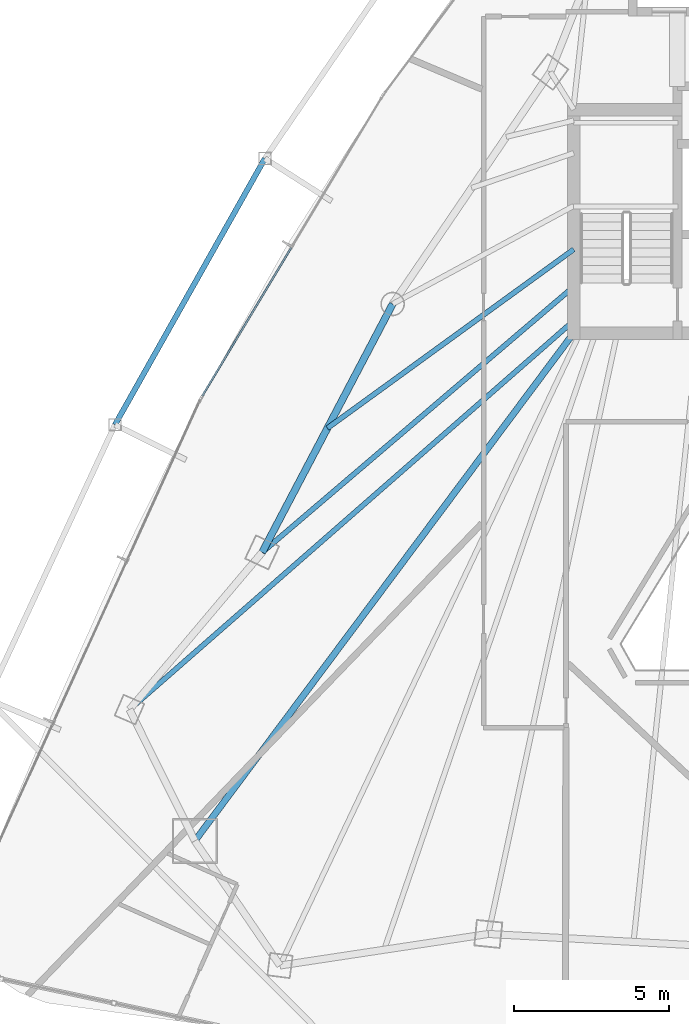
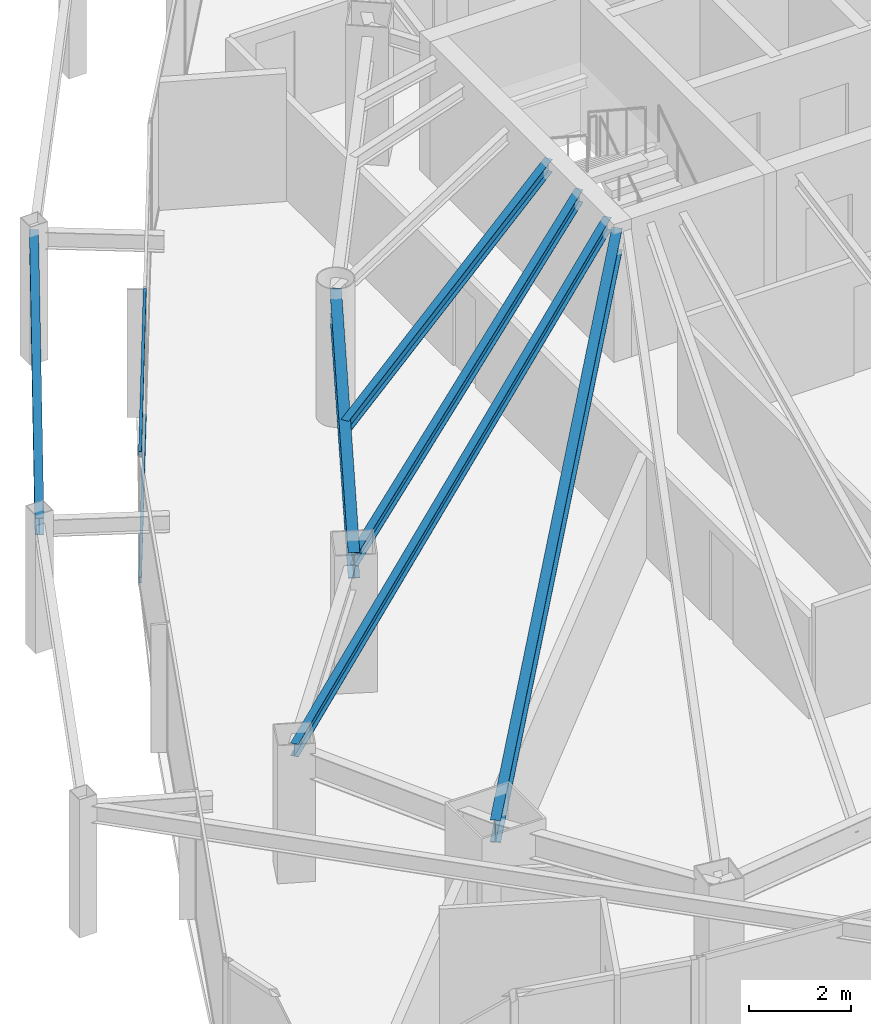
# One storey, part 10 of 31: 6 beams, 2 members, 1 element without a shape of its own.
"""IFC4 building model written with IfcOpenShell, lengths in metres."""

from ifc_helpers import new_model, si_unit, direction, frame, origin, origin_2d, place, context, subcontext, project, spatial, hollow_rectangle, i_section, extrude, material, layer, layer_set, material_profile, profile_set, type_object, element, aggregate, save


model = new_model("IFC4")

# Units and contexts
model_context = context("Model", 3, precision=1e-05, world=origin(), true_north=direction((0.0, 1.0)))
body_context = subcontext(model_context, "Body", "Model", "MODEL_VIEW")
ifc_project = project(units=[si_unit("LENGTHUNIT", "METRE"), si_unit("AREAUNIT", "SQUARE_METRE"), si_unit("VOLUMEUNIT", "CUBIC_METRE"), si_unit("PLANEANGLEUNIT", "RADIAN"), si_unit("MASSUNIT", "GRAM", prefix="KILO")], contexts=[model_context])

# Site, building, storey
site_placement = place(None, origin())
site = spatial("IfcSite", under=ifc_project, at=site_placement, CompositionType="ELEMENT")
building_placement = place(site_placement, origin())
building = spatial("IfcBuilding", under=site, at=building_placement, Name="Orvanel Arch Residences", CompositionType="ELEMENT")
storey_placement = place(building_placement, frame((0.0, 0.0, 126.5)))
storey = spatial("IfcBuildingStorey", under=building, at=storey_placement, Name="L35", CompositionType="ELEMENT", Elevation=126.5)

# Beams
ifc_material_1 = material(Name="Structural steel AS/NZS 3679.1 Grade 300 (300 MPa)", Category="steel")
ifc_material_profile_1 = material_profile(ifc_material_1, i_section(OverallWidth=0.208984375, OverallDepth=0.532958984375, WebThickness=0.01025390625, FlangeThickness=0.015625, at=origin_2d()), Name="530UB92.4")
ifc_profile_set_1 = profile_set([ifc_material_profile_1], Name="Structural steel AS/NZS 3679.1 Grade 300 (300 MPa)")
beam_type_1 = type_object("IfcBeamType", Name="BG-530UB", PredefinedType="BEAM", material=ifc_profile_set_1)
beam_1_placement = place(storey_placement, frame((26.375, 26.675048828125, 2.79296875), z_axis=(-0.597893733742, -0.801575375839, 0.0), x_axis=(0.801575375839, -0.597893733742, 0.0)))
element("IfcBeam", 1, at=beam_1_placement, inside=storey, type_object=beam_type_1, Name="L35 South-West Radial Girder", PredefinedType="BEAM", context=body_context, shape_type="SweptSolid", body=[
    extrude(i_section(OverallWidth=0.208984375, OverallDepth=0.532958984375, WebThickness=0.01025390625, FlangeThickness=0.015625, at=origin_2d()), origin(), (0.0, 0.0, 1.0), 20.36474609375),
])
ifc_material_profile_2 = material_profile(ifc_material_1, i_section(OverallWidth=0.1650390625, OverallDepth=0.303955078125, WebThickness=0.006103515625, FlangeThickness=0.01025390625, at=origin_2d()), Name="310UB40.4")
ifc_profile_set_2 = profile_set([ifc_material_profile_2], Name="Structural steel AS/NZS 3679.1 Grade 300 (300 MPa)")
beam_type_2 = type_object("IfcBeamType", Name="BJ-310UB", PredefinedType="JOIST", material=ifc_profile_set_2)
beam_2_placement = place(storey_placement, frame((26.39990234375, 28.199951171875, 2.907958984375), z_axis=(-0.760821315761, -0.648961420644, 0.0), x_axis=(0.648961420644, -0.760821315761, 0.0)))
element("IfcBeam", 2, at=beam_2_placement, inside=storey, type_object=beam_type_2, Name="L35 W Wing Floor Joist", PredefinedType="JOIST", context=body_context, shape_type="SweptSolid", body=[
    extrude(i_section(OverallWidth=0.1650390625, OverallDepth=0.303955078125, WebThickness=0.006103515625, FlangeThickness=0.01025390625, at=origin_2d()), origin(), (0.0, 0.0, 1.0), 13.18701171875),
])
beam_3_placement = place(storey_placement, frame((26.39990234375, 27.10009765625, 2.907958984375), z_axis=(-0.752493154183, -0.658600070534, 0.0), x_axis=(0.658600070534, -0.752493154183, 0.0)))
element("IfcBeam", 3, at=beam_3_placement, inside=storey, type_object=beam_type_2, Name="L35 MW Wing Floor Joist", PredefinedType="JOIST", context=body_context, shape_type="SweptSolid", body=[
    extrude(i_section(OverallWidth=0.1650390625, OverallDepth=0.303955078125, WebThickness=0.006103515625, FlangeThickness=0.01025390625, at=origin_2d()), origin(), (0.0, 0.0, 1.0), 19.010009765625),
])
beam_4_placement = place(storey_placement, frame((26.39990234375, 29.39990234375, 2.907958984375), z_axis=(-0.809261403954, -0.587448704203, 0.0), x_axis=(0.587448704203, -0.809261403954, 0.0)))
element("IfcBeam", 4, at=beam_4_placement, inside=storey, type_object=beam_type_2, Name="L35 CTW Wing Floor Joist", PredefinedType="JOIST", context=body_context, shape_type="SweptSolid", body=[
    extrude(i_section(OverallWidth=0.1650390625, OverallDepth=0.303955078125, WebThickness=0.006103515625, FlangeThickness=0.01025390625, at=origin_2d()), origin(), (0.0, 0.0, 1.0), 9.80126953125),
])
ifc_material_profile_3 = material_profile(ifc_material_1, i_section(OverallWidth=0.177978515625, OverallDepth=0.406005859375, WebThickness=0.0078125, FlangeThickness=0.0126953125, at=origin_2d()), Name="410UB59.7")
ifc_profile_set_3 = profile_set([ifc_material_profile_3], Name="Structural steel AS/NZS 3679.1 Grade 300 (300 MPa)")
beam_type_3 = type_object("IfcBeamType", Name="OB-410UB-EXT", PredefinedType="SPANDREL", material=ifc_profile_set_3)
beam_5_placement = place(storey_placement, frame((16.455078125, 32.325927734375, 2.85693359375), z_axis=(-0.490592233597, -0.871389270266, 0.0), x_axis=(0.871389270266, -0.490592233597, 0.0)))
element("IfcBeam", 5, at=beam_5_placement, inside=storey, type_object=beam_type_3, Name="L35 Outer Perimeter Floor Ring Beam 02", PredefinedType="SPANDREL", context=body_context, shape_type="SweptSolid", body=[
    extrude(i_section(OverallWidth=0.177978515625, OverallDepth=0.406005859375, WebThickness=0.0078125, FlangeThickness=0.0126953125, at=origin_2d()), origin(), (0.0, 0.0, 1.0), 9.83935546875),
])
ifc_material_profile_4 = material_profile(ifc_material_1, i_section(OverallWidth=0.22900390625, OverallDepth=0.612060546875, WebThickness=0.011962890625, FlangeThickness=0.01953125, at=origin_2d()), Name="610UB125")
ifc_profile_set_4 = profile_set([ifc_material_profile_4], Name="Structural steel AS/NZS 3679.1 Grade 300 (300 MPa)")
beam_type_4 = type_object("IfcBeamType", Name="SP-610UB", PredefinedType="SPANDREL", material=ifc_profile_set_4)
beam_6_placement = place(storey_placement, frame((20.569091796875, 27.64111328125, 2.75390625), z_axis=(-0.465064762793, -0.885276660942, 0.0), x_axis=(0.885276660942, -0.465064762793, 0.0)))
element("IfcBeam", 6, at=beam_6_placement, inside=storey, type_object=beam_type_4, Name="L35 Perimeter Spandrel Beam 18", PredefinedType="SPANDREL", context=body_context, shape_type="SweptSolid", body=[
    extrude(i_section(OverallWidth=0.22900390625, OverallDepth=0.612060546875, WebThickness=0.011962890625, FlangeThickness=0.01953125, at=origin_2d()), origin(), (0.0, 0.0, 1.0), 9.03564453125),
])

# Curtain wall, members
ifc_material_2 = material(Name="Bronze-anodised aluminium AA6063-T6", Category="aluminium")
ifc_layer = layer(ifc_material_2, 0.179931640625)
ifc_layer_set = layer_set([ifc_layer], Name="Bronze-anodised aluminium AA6063-T6")
curtain_wall_type = type_object("IfcCurtainWallType", Name="CW3-MID-SYS", PredefinedType="NOTDEFINED", material=ifc_layer_set)
curtain_wall_placement = place(storey_placement, origin())
curtain_wall = element("IfcCurtainWall", 7, at=curtain_wall_placement, inside=storey, type_object=curtain_wall_type, Name="L35 CW3-MID-SYS Unitised Curtain Wall", PredefinedType="NOTDEFINED")
ifc_material_profile_5 = material_profile(ifc_material_2, hollow_rectangle(XDim=0.06005859375, YDim=0.135009765625, WallThickness=0.00390625, at=origin_2d()), Name="ALU135x60x4")
ifc_profile_set_5 = profile_set([ifc_material_profile_5], Name="Bronze-anodised aluminium AA6063-T6")
member_type = type_object("IfcMemberType", Name="TRN-135x60", PredefinedType="USERDEFINED", material=ifc_profile_set_5)
member_1_placement = place(storey_placement, frame((17.304443359375, 29.4560546875, 0.030029296875), z_axis=(-0.514418461104, -0.857539297569, 0.0), x_axis=(0.857539297569, -0.514418461104, 0.0)))
member_1 = element("IfcMember", 8, at=member_1_placement, type_object=member_type, Name="CW-S3 transom 2.1", ObjectType="TRANSOM", PredefinedType="USERDEFINED", context=body_context, shape_type="SweptSolid", body=[
    extrude(hollow_rectangle(XDim=0.06005859375, YDim=0.135009765625, WallThickness=0.00390625, at=origin_2d()), origin(), (0.0, 0.0, 1.0), 5.57421875),
])
member_2_placement = place(storey_placement, frame((17.304443359375, 29.4560546875, 3.030029296875), z_axis=(-0.514418461104, -0.857539297569, 0.0), x_axis=(0.857539297569, -0.514418461104, 0.0)))
member_2 = element("IfcMember", 9, at=member_2_placement, type_object=member_type, Name="CW-S3 transom 2.2", ObjectType="TRANSOM", PredefinedType="USERDEFINED", context=body_context, shape_type="SweptSolid", body=[
    extrude(hollow_rectangle(XDim=0.06005859375, YDim=0.135009765625, WallThickness=0.00390625, at=origin_2d()), origin(), (0.0, 0.0, 1.0), 5.57421875),
])
aggregate(curtain_wall, [member_1, member_2])

save(model, "model.ifc")
